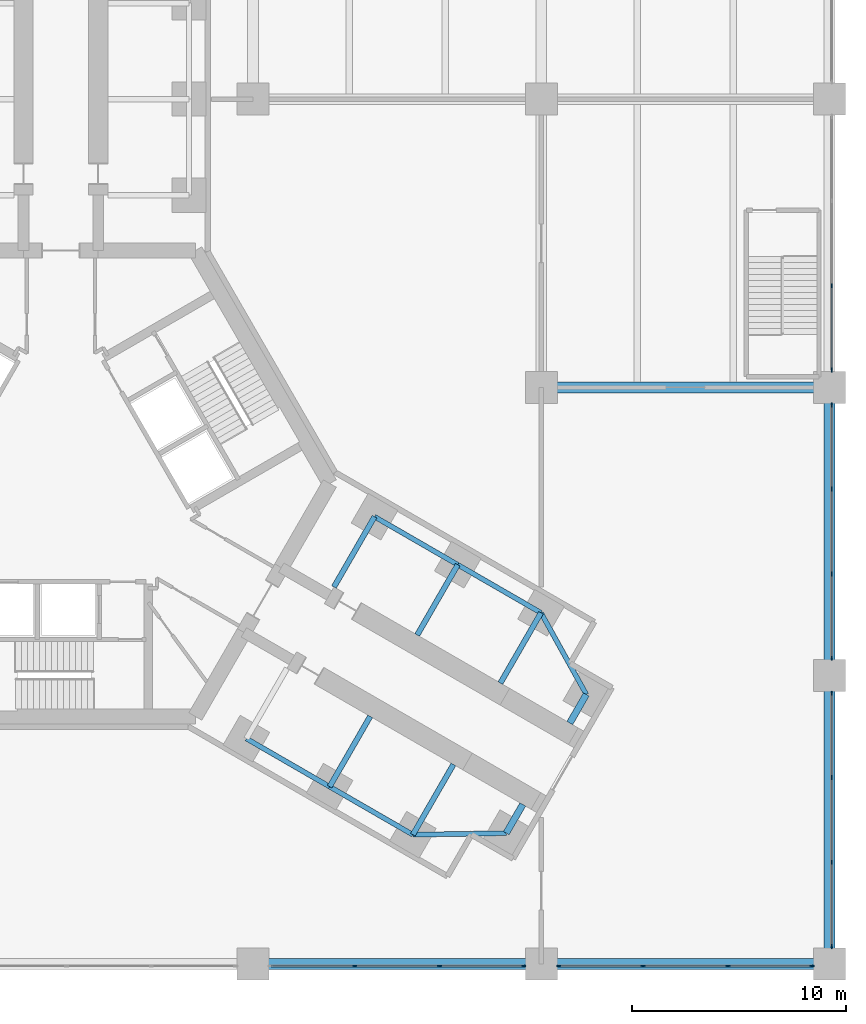
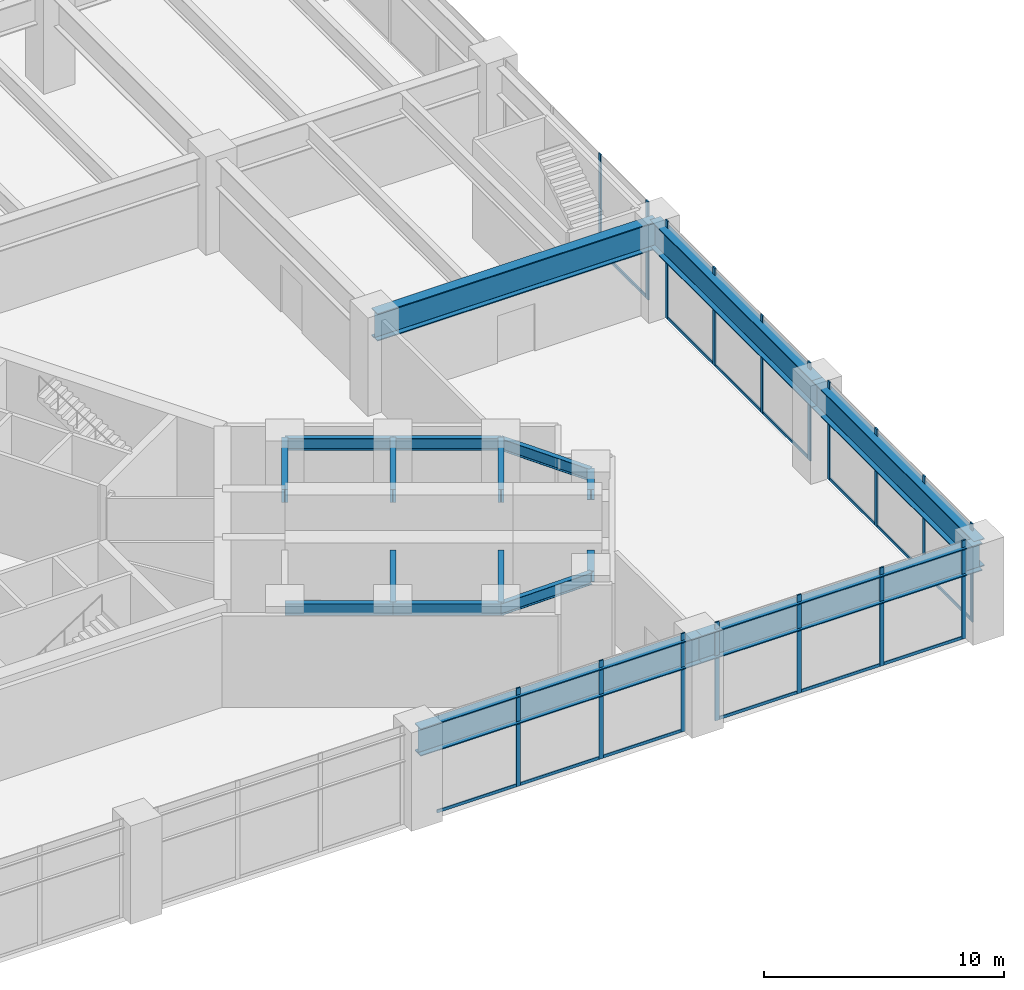
# One storey, part 10 of 32: 30 members, 18 beams, 5 elements without a shape of their own.
"""IFC4 building model written with IfcOpenShell, lengths in metres."""

import ifcopenshell
import ifcopenshell.guid

model = None  # the IFC model being written
_history = None  # IfcOwnerHistory: only IFC2X3 demands one
_inside = {}  # id of a spatial element -> (the spatial element, [elements in it])
_under = {}  # id of a project, library or spatial element -> (it, [spatial elements below it])
_declared = {}  # id of a project -> (the project, [libraries it declares])
_typed = {}  # id of a type object -> (the type object, [elements of that type])
_made_of = {}  # id of a material, layer set ... -> (it, [elements and type objects made of it])


def new_model(schema):
    """Start an empty IFC model of exactly this schema.

    Asked for "IFC4X3", IfcOpenShell would pick the latest addendum, in which some entities
    have other attributes; the version numbers below select the first issue.
    IFC2X3 requires an IfcOwnerHistory on every rooted entity: one is made here for all.
    """
    global model, _history
    if schema == "IFC4X3":
        model = ifcopenshell.file(schema_version=(4, 3, 0, 0))
    else:
        model = ifcopenshell.file(schema=schema)
    _inside.clear()
    _under.clear()
    _declared.clear()
    _typed.clear()
    _made_of.clear()
    _history = None
    if model.schema == "IFC2X3":
        org = make("IfcOrganization", Name="unknown")
        user = make(
            "IfcPersonAndOrganization",
            ThePerson=make("IfcPerson", FamilyName="unknown"),
            TheOrganization=org,
        )
        app = make(
            "IfcApplication",
            ApplicationDeveloper=org,
            Version="unknown",
            ApplicationFullName="unknown",
            ApplicationIdentifier="unknown",
        )
        _history = make(
            "IfcOwnerHistory",
            OwningUser=user,
            OwningApplication=app,
            ChangeAction="ADDED",
            CreationDate=0,
        )
    return model


def make(cls, **values):
    """One entity of the class cls with the attributes given. An attribute that is None is left unset."""
    return model.create_entity(
        cls, **{name: value for name, value in values.items() if value is not None}
    )


def rooted(cls, **values):
    """An entity with a GlobalId (a new one), such as an element, a storey or a relation."""
    return make(cls, GlobalId=ifcopenshell.guid.new(), OwnerHistory=_history, **values)


def si_unit(unit_type, name, prefix=None):
    """IfcSIUnit, for example si_unit("LENGTHUNIT", "METRE", prefix="MILLI")."""
    return make("IfcSIUnit", UnitType=unit_type, Prefix=prefix, Name=name)


def assignment(units):
    """IfcUnitAssignment: the units of a project."""
    return None if units is None else make("IfcUnitAssignment", Units=units)


def point(xyz):
    """IfcCartesianPoint."""
    return None if xyz is None else make("IfcCartesianPoint", Coordinates=xyz)


def direction(xyz):
    """IfcDirection."""
    return None if xyz is None else make("IfcDirection", DirectionRatios=xyz)


def frame(location, z_axis=None, x_axis=None):
    """IfcAxis2Placement3D, a coordinate frame: its origin and axes. An axis left out is left unset."""
    return make(
        "IfcAxis2Placement3D",
        Location=point(location),
        Axis=direction(z_axis),
        RefDirection=direction(x_axis),
    )


def frame_2d(location, x_axis=None):
    """IfcAxis2Placement2D, a coordinate frame in the plane: its origin and x axis."""
    return make(
        "IfcAxis2Placement2D", Location=point(location), RefDirection=direction(x_axis)
    )


def origin():
    """The frame at (0, 0, 0) with its axes left unset."""
    return frame((0.0, 0.0, 0.0))


def origin_2d():
    """The frame at (0, 0) in the plane with its x axis left unset."""
    return frame_2d((0.0, 0.0))


def place(relative_to, where):
    """IfcLocalPlacement: puts the frame where relative to a parent placement (None: the world)."""
    return make(
        "IfcLocalPlacement", PlacementRelTo=relative_to, RelativePlacement=where
    )


def context(
    kind, dimensions, precision=None, world=None, true_north=None, identifier=None
):
    """IfcGeometricRepresentationContext, for example the 3D "Model" context."""
    return make(
        "IfcGeometricRepresentationContext",
        ContextIdentifier=identifier,
        ContextType=kind,
        CoordinateSpaceDimension=dimensions,
        Precision=precision,
        WorldCoordinateSystem=world,
        TrueNorth=true_north,
    )


def subcontext(parent, identifier, kind, view, scale=None):
    """IfcGeometricRepresentationSubContext, for example "Body" below "Model"."""
    return make(
        "IfcGeometricRepresentationSubContext",
        ContextIdentifier=identifier,
        ContextType=kind,
        ParentContext=parent,
        TargetScale=scale,
        TargetView=view,
    )


def project(units=None, contexts=None):
    """IfcProject with its units and contexts."""
    return rooted(
        "IfcProject",
        Name="project",
        RepresentationContexts=contexts,
        UnitsInContext=assignment(units),
    )


def spatial(cls, under=None, at=None, **own):
    """A site, building, storey or space (cls), placed at a placement, below another one or the project."""
    s = rooted(cls, ObjectPlacement=at, **own)
    if under is not None:
        _under.setdefault(under.id(), (under, []))[1].append(s)
    return s


def profile(cls, at=None, kind="AREA", **sizes):
    """A parametric profile (cls). Its sizes go by their IFC names, for example OverallWidth=200.0."""
    return make(cls, ProfileType=kind, Position=at, **sizes)


def rectangle(**sizes):
    """IfcRectangleProfileDef."""
    return profile("IfcRectangleProfileDef", **sizes)


def i_section(**sizes):
    """IfcIShapeProfileDef."""
    return profile("IfcIShapeProfileDef", **sizes)


def extrude(swept, where, along, depth):
    """IfcExtrudedAreaSolid: the profile swept, set in the frame where, extruded along a direction by depth."""
    return make(
        "IfcExtrudedAreaSolid",
        SweptArea=swept,
        Position=where,
        ExtrudedDirection=direction(along),
        Depth=depth,
    )


def shape(context_of_items, identifier, shape_type, items):
    """IfcShapeRepresentation: the items that make up one representation, for example the "Body"."""
    return make(
        "IfcShapeRepresentation",
        ContextOfItems=context_of_items,
        RepresentationIdentifier=identifier,
        RepresentationType=shape_type,
        Items=items,
    )


def material(Name=None, Category=None):
    """IfcMaterial."""
    return make("IfcMaterial", Name=Name, Category=Category)


def material_profile(
    of_material, cross_section, Name=None, Category=None, Priority=None
):
    """IfcMaterialProfile: a cross section and its material."""
    return make(
        "IfcMaterialProfile",
        Name=Name,
        Material=of_material,
        Profile=cross_section,
        Priority=Priority,
        Category=Category,
    )


def profile_set(profiles, Name=None, composite=None):
    """IfcMaterialProfileSet."""
    return make(
        "IfcMaterialProfileSet",
        Name=Name,
        MaterialProfiles=profiles,
        CompositeProfile=composite,
    )


def made_of(thing, what):
    """Note that an element or type object is made of a material, layer set ...; save() writes the relation."""
    if what is not None:
        _made_of.setdefault(what.id(), (what, []))[1].append(thing)
    return thing


def type_object(cls, material=None, **own):
    """A type object (cls), such as IfcWallType, which elements share."""
    return made_of(rooted(cls, **own), material)


def element(
    cls,
    number,
    at=None,
    inside=None,
    cuts=None,
    type_object=None,
    material=None,
    context=None,
    identifier="Body",
    shape_type=None,
    held_by="IfcProductDefinitionShape",
    body=None,
    shapes=None,
    **own,
):
    """One element of the class cls, such as IfcWall. Its Tag is "e" and its number.

    at: its placement. inside: the storey or other place that contains it. cuts: it is an
    opening in that element (IfcRelVoidsElement). A single representation is given by context,
    identifier, shape_type and body (its items); several are given by shapes. held_by: the class
    of the entity that holds the representations. save() writes the other relations.
    """
    e = rooted(cls, Tag="e%d" % number, ObjectPlacement=at, **own)
    if body is not None:
        shapes = [shape(context, identifier, shape_type, body)]
    if shapes is not None:
        e.Representation = make(held_by, Representations=shapes)
    if inside is not None:
        _inside.setdefault(inside.id(), (inside, []))[1].append(e)
    if cuts is not None:
        rooted(
            "IfcRelVoidsElement", RelatingBuildingElement=cuts, RelatedOpeningElement=e
        )
    if type_object is not None:
        _typed.setdefault(type_object.id(), (type_object, []))[1].append(e)
    return made_of(e, material)


def aggregate(whole, parts):
    """IfcRelAggregates: a whole, such as a stair, and the parts it consists of."""
    return rooted("IfcRelAggregates", RelatingObject=whole, RelatedObjects=parts)


def save(model, path):
    """Write the relations noted so far, then the file.

    IfcRelAggregates (storeys below a building ...), IfcRelContainedInSpatialStructure (elements
    in a storey), IfcRelDefinesByType, IfcRelAssociatesMaterial and IfcRelDeclares: one each for
    every whole, place, type object, material and project.
    """
    for whole, parts in _under.values():
        aggregate(whole, parts)
    for where, things in _inside.values():
        rooted(
            "IfcRelContainedInSpatialStructure",
            RelatedElements=things,
            RelatingStructure=where,
        )
    for kind, things in _typed.values():
        rooted("IfcRelDefinesByType", RelatedObjects=things, RelatingType=kind)
    for what, things in _made_of.values():
        rooted("IfcRelAssociatesMaterial", RelatedObjects=things, RelatingMaterial=what)
    for by, libraries in _declared.values():
        rooted("IfcRelDeclares", RelatingContext=by, RelatedDefinitions=libraries)
    model.write(path)


model = new_model("IFC4")

# Units and contexts
model_context = context("Model", 3, precision=1e-05, world=origin(), true_north=direction((0.0, 1.0)))
body_context = subcontext(model_context, "Body", "Model", "MODEL_VIEW")
ifc_project = project(units=[si_unit("LENGTHUNIT", "METRE"), si_unit("AREAUNIT", "SQUARE_METRE"), si_unit("VOLUMEUNIT", "CUBIC_METRE"), si_unit("PLANEANGLEUNIT", "RADIAN"), si_unit("MASSUNIT", "GRAM", prefix="KILO")], contexts=[model_context])

# Site, building, storey
site_placement = place(None, origin())
site = spatial("IfcSite", under=ifc_project, at=site_placement, CompositionType="ELEMENT")
building_placement = place(site_placement, origin())
building = spatial("IfcBuilding", under=site, at=building_placement, Name="Upepo Twin Towers", CompositionType="ELEMENT")
storey_placement = place(building_placement, frame((0.0, 0.0, 5.5)))
storey = spatial("IfcBuildingStorey", under=building, at=storey_placement, Name="L01", CompositionType="ELEMENT", Elevation=5.5)

# Beams
ifc_material_1 = material(Name="Steel S355", Category="steel")
ifc_material_profile_1 = material_profile(ifc_material_1, i_section(OverallWidth=0.5, OverallDepth=1.39990234375, WebThickness=0.02490234375, FlangeThickness=0.050048828125, FilletRadius=0.008056640625, at=origin_2d()), Name="PG 1400x500x25x50")
ifc_profile_set_1 = profile_set([ifc_material_profile_1], Name="Steel S355")
beam_type_1 = type_object("IfcBeamType", Name="Beam PG 1400x500x25x50", PredefinedType="BEAM", material=ifc_profile_set_1)
for number, where, z_axis, x_axis, name in (
    (1, (67.5, -40.5, 3.949951171875), (1.0, 0.0, 0.0), (0.0, 1.0, 0.0), "Podium girder A/8-9"),
    (2, (81.0, -40.5, 3.949951171875), (1.0, 0.0, 0.0), (0.0, 1.0, 0.0), "Podium girder A/9-10"),
    (3, (81.0, -13.5, 3.949951171875), (1.0, 0.0, 0.0), (0.0, 1.0, 0.0), "Podium girder C/9-10"),
    (4, (94.5, -40.5, 3.949951171875), (0.0, 1.0, 0.0), (-1.0, 0.0, 0.0), "Podium girder 10/A-B"),
    (5, (94.5, -27.0, 3.949951171875), (0.0, 1.0, 0.0), (-1.0, 0.0, 0.0), "Podium girder 10/B-C"),
):
    element("IfcBeam", number, at=place(storey_placement, frame(where, z_axis=z_axis, x_axis=x_axis)), inside=storey, type_object=beam_type_1, Name=name, PredefinedType="BEAM", context=body_context, shape_type="SweptSolid", body=[
        extrude(i_section(OverallWidth=0.5, OverallDepth=1.39990234375, WebThickness=0.02490234375, FlangeThickness=0.050048828125, FilletRadius=0.008056640625, at=origin_2d()), origin(), (0.0, 0.0, 1.0), 13.5),
    ])
ifc_material_2 = material(Name="Steel S355", Category="steel")
ifc_material_profile_2 = material_profile(ifc_material_2, i_section(OverallWidth=0.31201171875, OverallDepth=0.54345703125, WebThickness=0.0126953125, FlangeThickness=0.020263671875, FilletRadius=0.0126953125, at=origin_2d()), Name="UB 533x312x150")
ifc_profile_set_2 = profile_set([ifc_material_profile_2], Name="Steel S355")
beam_type_2 = type_object("IfcBeamType", Name="Beam UB 533x312x150", PredefinedType="BEAM", material=ifc_profile_set_2)
for number, where, z_axis, x_axis, name in (
    (6, (83.108154296875, -27.87744140625, 4.378173828125), (-0.499967891604, -0.866043940782, 0.0), (0.866043940782, -0.499967891604, 0.0), "T2 nose beam CL"),
    (7, (79.358154296875, -34.37255859375, 4.378173828125), (0.499967891604, 0.866043940782, 0.0), (-0.866043940782, 0.499967891604, 0.0), "T2 nose beam CR"),
):
    element("IfcBeam", number, at=place(storey_placement, frame(where, z_axis=z_axis, x_axis=x_axis)), inside=storey, type_object=beam_type_2, Name=name, PredefinedType="BEAM", context=body_context, shape_type="SweptSolid", body=[
        extrude(i_section(OverallWidth=0.31201171875, OverallDepth=0.54345703125, WebThickness=0.0126953125, FlangeThickness=0.020263671875, FilletRadius=0.0126953125, at=origin_2d()), origin(), (0.0, 0.0, 1.0), 1.5498046875),
    ])
ifc_material_3 = material(Name="Steel S355", Category="steel")
ifc_material_profile_3 = material_profile(ifc_material_3, i_section(OverallWidth=0.228271484375, OverallDepth=0.607666015625, WebThickness=0.010986328125, FlangeThickness=0.017333984375, FilletRadius=0.0126953125, at=origin_2d()), Name="UB 610x229x113")
ifc_profile_set_3 = profile_set([ifc_material_profile_3], Name="Steel S355")
beam_type_3 = type_object("IfcBeamType", Name="Beam UB 610x229x113", PredefinedType="BEAM", material=ifc_profile_set_3)
beam_1_placement = place(storey_placement, frame((73.19140625, -19.553955078125, 4.34619140625), z_axis=(0.866017533419, -0.500013631625, 0.0), x_axis=(0.500013631625, 0.866017533419, 0.0)))
element("IfcBeam", 8, at=beam_1_placement, inside=storey, type_object=beam_type_3, Name="T2 edge beam CL 13.5-18.0", PredefinedType="BEAM", context=body_context, shape_type="SweptSolid", body=[
    extrude(i_section(OverallWidth=0.228271484375, OverallDepth=0.607666015625, WebThickness=0.010986328125, FlangeThickness=0.017333984375, FilletRadius=0.0126953125, at=origin_2d()), origin(), (0.0, 0.0, 1.0), 4.499755859375),
])
beam_2_placement = place(storey_placement, frame((77.08837890625, -21.803955078125, 4.34619140625), z_axis=(0.866031096941, -0.499990139034, 0.0), x_axis=(0.499990139034, 0.866031096941, 0.0)))
element("IfcBeam", 9, at=beam_2_placement, inside=storey, type_object=beam_type_3, Name="T2 edge beam CL 18.0-22.5", PredefinedType="BEAM", context=body_context, shape_type="SweptSolid", body=[
    extrude(i_section(OverallWidth=0.228271484375, OverallDepth=0.607666015625, WebThickness=0.010986328125, FlangeThickness=0.017333984375, FilletRadius=0.0126953125, at=origin_2d()), origin(), (0.0, 0.0, 1.0), 4.5),
])
beam_3_placement = place(storey_placement, frame((80.985595703125, -24.053955078125, 4.34619140625), z_axis=(0.485363242752, -0.874312600038, 0.0), x_axis=(0.874312600038, 0.485363242752, 0.0)))
element("IfcBeam", 10, at=beam_3_placement, inside=storey, type_object=beam_type_3, Name="T2 nose edge beam CL", PredefinedType="BEAM", context=body_context, shape_type="SweptSolid", body=[
    extrude(i_section(OverallWidth=0.228271484375, OverallDepth=0.607666015625, WebThickness=0.010986328125, FlangeThickness=0.017333984375, FilletRadius=0.0126953125, at=origin_2d()), origin(), (0.0, 0.0, 1.0), 4.373046875),
])
beam_4_placement = place(storey_placement, frame((67.19140625, -29.946044921875, 4.34619140625), z_axis=(0.866017533419, -0.500013631625, 0.0), x_axis=(0.500013631625, 0.866017533419, 0.0)))
element("IfcBeam", 11, at=beam_4_placement, inside=storey, type_object=beam_type_3, Name="T2 edge beam CR 13.5-18.0", PredefinedType="BEAM", context=body_context, shape_type="SweptSolid", body=[
    extrude(i_section(OverallWidth=0.228271484375, OverallDepth=0.607666015625, WebThickness=0.010986328125, FlangeThickness=0.017333984375, FilletRadius=0.0126953125, at=origin_2d()), origin(), (0.0, 0.0, 1.0), 4.499755859375),
])
beam_5_placement = place(storey_placement, frame((71.08837890625, -32.196044921875, 4.34619140625), z_axis=(0.866031096941, -0.499990139034, 0.0), x_axis=(0.499990139034, 0.866031096941, 0.0)))
element("IfcBeam", 12, at=beam_5_placement, inside=storey, type_object=beam_type_3, Name="T2 edge beam CR 18.0-22.5", PredefinedType="BEAM", context=body_context, shape_type="SweptSolid", body=[
    extrude(i_section(OverallWidth=0.228271484375, OverallDepth=0.607666015625, WebThickness=0.010986328125, FlangeThickness=0.017333984375, FilletRadius=0.0126953125, at=origin_2d()), origin(), (0.0, 0.0, 1.0), 4.5),
])
beam_6_placement = place(storey_placement, frame((74.985595703125, -34.446044921875, 4.34619140625), z_axis=(0.999858804832, 0.016803880528, 0.0), x_axis=(-0.016803880528, 0.999858804832, 0.0)))
element("IfcBeam", 13, at=beam_6_placement, inside=storey, type_object=beam_type_3, Name="T2 nose edge beam CR", PredefinedType="BEAM", context=body_context, shape_type="SweptSolid", body=[
    extrude(i_section(OverallWidth=0.228271484375, OverallDepth=0.607666015625, WebThickness=0.010986328125, FlangeThickness=0.017333984375, FilletRadius=0.0126953125, at=origin_2d()), origin(), (0.0, 0.0, 1.0), 4.373291015625),
])
ifc_material_4 = material(Name="Steel S355", Category="steel")
ifc_material_profile_4 = material_profile(ifc_material_4, i_section(OverallWidth=0.253662109375, OverallDepth=0.68359375, WebThickness=0.012451171875, FlangeThickness=0.01904296875, FilletRadius=0.01513671875, at=origin_2d()), Name="UB 686x254x140")
ifc_profile_set_4 = profile_set([ifc_material_profile_4], Name="Steel S355")
beam_type_4 = type_object("IfcBeamType", Name="Beam UB 686x254x140", PredefinedType="BEAM", material=ifc_profile_set_4)
beam_7_placement = place(storey_placement, frame((73.19140625, -19.553955078125, 4.308349609375), z_axis=(-0.500043160704, -0.866000483506, 0.0), x_axis=(0.866000483506, -0.500043160704, 0.0)))
element("IfcBeam", 14, at=beam_7_placement, inside=storey, type_object=beam_type_4, Name="T2 girder CL at 13.5", PredefinedType="BEAM", context=body_context, shape_type="SweptSolid", body=[
    extrude(i_section(OverallWidth=0.253662109375, OverallDepth=0.68359375, WebThickness=0.012451171875, FlangeThickness=0.01904296875, FilletRadius=0.01513671875, at=origin_2d()), origin(), (0.0, 0.0, 1.0), 3.800048828125),
])
for number, where, z_axis, x_axis, name in (
    (15, (77.08837890625, -21.803955078125, 4.308349609375), (-0.499994975061, -0.866028304915, 0.0), (0.866028304915, -0.499994975061, 0.0), "T2 girder CL at 18.0"),
    (16, (80.985595703125, -24.053955078125, 4.308349609375), (-0.499994975061, -0.866028304915, 0.0), (0.866028304915, -0.499994975061, 0.0), "T2 girder CL at 22.5"),
):
    element("IfcBeam", number, at=place(storey_placement, frame(where, z_axis=z_axis, x_axis=x_axis)), inside=storey, type_object=beam_type_4, Name=name, PredefinedType="BEAM", context=body_context, shape_type="SweptSolid", body=[
        extrude(i_section(OverallWidth=0.253662109375, OverallDepth=0.68359375, WebThickness=0.012451171875, FlangeThickness=0.01904296875, FilletRadius=0.01513671875, at=origin_2d()), origin(), (0.0, 0.0, 1.0), 3.7998046875),
    ])
beam_8_placement = place(storey_placement, frame((71.08837890625, -32.196044921875, 4.308349609375), z_axis=(0.500043160704, 0.866000483506, 0.0), x_axis=(-0.866000483506, 0.500043160704, 0.0)))
element("IfcBeam", 17, at=beam_8_placement, inside=storey, type_object=beam_type_4, Name="T2 girder CR at 18.0", PredefinedType="BEAM", context=body_context, shape_type="SweptSolid", body=[
    extrude(i_section(OverallWidth=0.253662109375, OverallDepth=0.68359375, WebThickness=0.012451171875, FlangeThickness=0.01904296875, FilletRadius=0.01513671875, at=origin_2d()), origin(), (0.0, 0.0, 1.0), 3.800048828125),
])
beam_9_placement = place(storey_placement, frame((74.985595703125, -34.446044921875, 4.308349609375), z_axis=(0.499994975061, 0.866028304915, 0.0), x_axis=(-0.866028304915, 0.499994975061, 0.0)))
element("IfcBeam", 18, at=beam_9_placement, inside=storey, type_object=beam_type_4, Name="T2 girder CR at 22.5", PredefinedType="BEAM", context=body_context, shape_type="SweptSolid", body=[
    extrude(i_section(OverallWidth=0.253662109375, OverallDepth=0.68359375, WebThickness=0.012451171875, FlangeThickness=0.01904296875, FilletRadius=0.01513671875, at=origin_2d()), origin(), (0.0, 0.0, 1.0), 3.7998046875),
])

# Curtain wall, members
ifc_material_5 = material(Name="Aluminium and clear glass", Category="aluminium")
curtain_wall_type = type_object("IfcCurtainWallType", Name="Podium curtain wall PW1", PredefinedType="NOTDEFINED", material=ifc_material_5)
curtain_wall_1_placement = place(storey_placement, origin())
curtain_wall_1 = element("IfcCurtainWall", 19, at=curtain_wall_1_placement, inside=storey, type_object=curtain_wall_type, Name="Podium L01 curtain wall S8", PredefinedType="NOTDEFINED")
ifc_material_6 = material(Name="Aluminium mullion", Category="aluminium")
ifc_material_profile_5 = material_profile(ifc_material_6, rectangle(XDim=0.06494140625, YDim=0.199951171875, at=origin_2d()), Name="MULLION 65x200 PODIUM")
ifc_profile_set_5 = profile_set([ifc_material_profile_5], Name="Aluminium mullion")
member_type_1 = type_object("IfcMemberType", Name="Mullion 65x200 PW1", PredefinedType="MULLION", material=ifc_profile_set_5)
member_1_placement = place(storey_placement, frame((72.26171875, -40.60009765625, 0.0), z_axis=(0.0, 0.0, 1.0), x_axis=(0.0, 1.0, 0.0)))
member_1 = element("IfcMember", 20, at=member_1_placement, type_object=member_type_1, Name="Podium L01 curtain wall S8 mullion 2", PredefinedType="MULLION", context=body_context, shape_type="SweptSolid", body=[
    extrude(rectangle(XDim=0.06494140625, YDim=0.199951171875, at=origin_2d()), origin(), (0.0, 0.0, 1.0), 5.0),
])
member_2_placement = place(storey_placement, frame((76.23828125, -40.60009765625, 0.0), z_axis=(0.0, 0.0, 1.0), x_axis=(0.0, 1.0, 0.0)))
member_2 = element("IfcMember", 21, at=member_2_placement, type_object=member_type_1, Name="Podium L01 curtain wall S8 mullion 3", PredefinedType="MULLION", context=body_context, shape_type="SweptSolid", body=[
    extrude(rectangle(XDim=0.06494140625, YDim=0.199951171875, at=origin_2d()), origin(), (0.0, 0.0, 1.0), 5.0),
])
member_3_placement = place(storey_placement, frame((80.1826171875, -40.60009765625, 0.0), z_axis=(0.0, 0.0, 1.0), x_axis=(0.0, 1.0, 0.0)))
member_3 = element("IfcMember", 22, at=member_3_placement, type_object=member_type_1, Name="Podium L01 curtain wall S8 mullion 4", PredefinedType="MULLION", context=body_context, shape_type="SweptSolid", body=[
    extrude(rectangle(XDim=0.06494140625, YDim=0.199951171875, at=origin_2d()), origin(), (0.0, 0.0, 1.0), 5.0),
])

curtain_wall_2_placement = place(storey_placement, origin())
curtain_wall_2 = element("IfcCurtainWall", 23, at=curtain_wall_2_placement, inside=storey, type_object=curtain_wall_type, Name="Podium L01 curtain wall S9", PredefinedType="NOTDEFINED")
member_4_placement = place(storey_placement, frame((81.8173828125, -40.60009765625, 0.0), z_axis=(0.0, 0.0, 1.0), x_axis=(0.0, 1.0, 0.0)))
member_4 = element("IfcMember", 24, at=member_4_placement, type_object=member_type_1, Name="Podium L01 curtain wall S9 mullion 1", PredefinedType="MULLION", context=body_context, shape_type="SweptSolid", body=[
    extrude(rectangle(XDim=0.06494140625, YDim=0.199951171875, at=origin_2d()), origin(), (0.0, 0.0, 1.0), 5.0),
])
member_5_placement = place(storey_placement, frame((85.76171875, -40.60009765625, 0.0), z_axis=(0.0, 0.0, 1.0), x_axis=(0.0, 1.0, 0.0)))
member_5 = element("IfcMember", 25, at=member_5_placement, type_object=member_type_1, Name="Podium L01 curtain wall S9 mullion 2", PredefinedType="MULLION", context=body_context, shape_type="SweptSolid", body=[
    extrude(rectangle(XDim=0.06494140625, YDim=0.199951171875, at=origin_2d()), origin(), (0.0, 0.0, 1.0), 5.0),
])
member_6_placement = place(storey_placement, frame((89.73828125, -40.60009765625, 0.0), z_axis=(0.0, 0.0, 1.0), x_axis=(0.0, 1.0, 0.0)))
member_6 = element("IfcMember", 26, at=member_6_placement, type_object=member_type_1, Name="Podium L01 curtain wall S9 mullion 3", PredefinedType="MULLION", context=body_context, shape_type="SweptSolid", body=[
    extrude(rectangle(XDim=0.06494140625, YDim=0.199951171875, at=origin_2d()), origin(), (0.0, 0.0, 1.0), 5.0),
])
member_7_placement = place(storey_placement, frame((93.6826171875, -40.60009765625, 0.0), z_axis=(0.0, 0.0, 1.0), x_axis=(0.0, 1.0, 0.0)))
member_7 = element("IfcMember", 27, at=member_7_placement, type_object=member_type_1, Name="Podium L01 curtain wall S9 mullion 4", PredefinedType="MULLION", context=body_context, shape_type="SweptSolid", body=[
    extrude(rectangle(XDim=0.06494140625, YDim=0.199951171875, at=origin_2d()), origin(), (0.0, 0.0, 1.0), 5.0),
])

curtain_wall_3_placement = place(storey_placement, origin())
curtain_wall_3 = element("IfcCurtainWall", 28, at=curtain_wall_3_placement, inside=storey, type_object=curtain_wall_type, Name="Podium L01 curtain wall E1", PredefinedType="NOTDEFINED")
member_8_placement = place(storey_placement, frame((94.60009765625, -39.6826171875, 0.0), z_axis=(0.0, 0.0, 1.0), x_axis=(-1.0, 0.0, 0.0)))
member_8 = element("IfcMember", 29, at=member_8_placement, type_object=member_type_1, Name="Podium L01 curtain wall E1 mullion 1", PredefinedType="MULLION", context=body_context, shape_type="SweptSolid", body=[
    extrude(rectangle(XDim=0.06494140625, YDim=0.199951171875, at=origin_2d()), origin(), (0.0, 0.0, 1.0), 5.0),
])
member_9_placement = place(storey_placement, frame((94.60009765625, -35.73828125, 0.0), z_axis=(0.0, 0.0, 1.0), x_axis=(-1.0, 0.0, 0.0)))
member_9 = element("IfcMember", 30, at=member_9_placement, type_object=member_type_1, Name="Podium L01 curtain wall E1 mullion 2", PredefinedType="MULLION", context=body_context, shape_type="SweptSolid", body=[
    extrude(rectangle(XDim=0.06494140625, YDim=0.199951171875, at=origin_2d()), origin(), (0.0, 0.0, 1.0), 5.0),
])
member_10_placement = place(storey_placement, frame((94.60009765625, -31.76171875, 0.0), z_axis=(0.0, 0.0, 1.0), x_axis=(-1.0, 0.0, 0.0)))
member_10 = element("IfcMember", 31, at=member_10_placement, type_object=member_type_1, Name="Podium L01 curtain wall E1 mullion 3", PredefinedType="MULLION", context=body_context, shape_type="SweptSolid", body=[
    extrude(rectangle(XDim=0.06494140625, YDim=0.199951171875, at=origin_2d()), origin(), (0.0, 0.0, 1.0), 5.0),
])
member_11_placement = place(storey_placement, frame((94.60009765625, -27.8173828125, 0.0), z_axis=(0.0, 0.0, 1.0), x_axis=(-1.0, 0.0, 0.0)))
member_11 = element("IfcMember", 32, at=member_11_placement, type_object=member_type_1, Name="Podium L01 curtain wall E1 mullion 4", PredefinedType="MULLION", context=body_context, shape_type="SweptSolid", body=[
    extrude(rectangle(XDim=0.06494140625, YDim=0.199951171875, at=origin_2d()), origin(), (0.0, 0.0, 1.0), 5.0),
])

curtain_wall_4_placement = place(storey_placement, origin())
curtain_wall_4 = element("IfcCurtainWall", 33, at=curtain_wall_4_placement, inside=storey, type_object=curtain_wall_type, Name="Podium L01 curtain wall E2", PredefinedType="NOTDEFINED")
member_12_placement = place(storey_placement, frame((94.60009765625, -26.1826171875, 0.0), z_axis=(0.0, 0.0, 1.0), x_axis=(-1.0, 0.0, 0.0)))
member_12 = element("IfcMember", 34, at=member_12_placement, type_object=member_type_1, Name="Podium L01 curtain wall E2 mullion 1", PredefinedType="MULLION", context=body_context, shape_type="SweptSolid", body=[
    extrude(rectangle(XDim=0.06494140625, YDim=0.199951171875, at=origin_2d()), origin(), (0.0, 0.0, 1.0), 5.0),
])
member_13_placement = place(storey_placement, frame((94.60009765625, -22.23828125, 0.0), z_axis=(0.0, 0.0, 1.0), x_axis=(-1.0, 0.0, 0.0)))
member_13 = element("IfcMember", 35, at=member_13_placement, type_object=member_type_1, Name="Podium L01 curtain wall E2 mullion 2", PredefinedType="MULLION", context=body_context, shape_type="SweptSolid", body=[
    extrude(rectangle(XDim=0.06494140625, YDim=0.199951171875, at=origin_2d()), origin(), (0.0, 0.0, 1.0), 5.0),
])
member_14_placement = place(storey_placement, frame((94.60009765625, -18.26171875, 0.0), z_axis=(0.0, 0.0, 1.0), x_axis=(-1.0, 0.0, 0.0)))
member_14 = element("IfcMember", 36, at=member_14_placement, type_object=member_type_1, Name="Podium L01 curtain wall E2 mullion 3", PredefinedType="MULLION", context=body_context, shape_type="SweptSolid", body=[
    extrude(rectangle(XDim=0.06494140625, YDim=0.199951171875, at=origin_2d()), origin(), (0.0, 0.0, 1.0), 5.0),
])
member_15_placement = place(storey_placement, frame((94.60009765625, -14.3173828125, 0.0), z_axis=(0.0, 0.0, 1.0), x_axis=(-1.0, 0.0, 0.0)))
member_15 = element("IfcMember", 37, at=member_15_placement, type_object=member_type_1, Name="Podium L01 curtain wall E2 mullion 4", PredefinedType="MULLION", context=body_context, shape_type="SweptSolid", body=[
    extrude(rectangle(XDim=0.06494140625, YDim=0.199951171875, at=origin_2d()), origin(), (0.0, 0.0, 1.0), 5.0),
])

curtain_wall_5_placement = place(storey_placement, origin())
curtain_wall_5 = element("IfcCurtainWall", 38, at=curtain_wall_5_placement, inside=storey, type_object=curtain_wall_type, Name="Podium L01 curtain wall E3", PredefinedType="NOTDEFINED")
member_16_placement = place(storey_placement, frame((94.60009765625, -12.6826171875, 0.0), z_axis=(0.0, 0.0, 1.0), x_axis=(-1.0, 0.0, 0.0)))
member_16 = element("IfcMember", 39, at=member_16_placement, type_object=member_type_1, Name="Podium L01 curtain wall E3 mullion 1", PredefinedType="MULLION", context=body_context, shape_type="SweptSolid", body=[
    extrude(rectangle(XDim=0.06494140625, YDim=0.199951171875, at=origin_2d()), origin(), (0.0, 0.0, 1.0), 5.0),
])
member_17_placement = place(storey_placement, frame((94.60009765625, -8.73828125, 0.0), z_axis=(0.0, 0.0, 1.0), x_axis=(-1.0, 0.0, 0.0)))
member_17 = element("IfcMember", 40, at=member_17_placement, type_object=member_type_1, Name="Podium L01 curtain wall E3 mullion 2", PredefinedType="MULLION", context=body_context, shape_type="SweptSolid", body=[
    extrude(rectangle(XDim=0.06494140625, YDim=0.199951171875, at=origin_2d()), origin(), (0.0, 0.0, 1.0), 5.0),
])

# Member
ifc_material_7 = material(Name="Aluminium transom", Category="aluminium")
ifc_material_profile_6 = material_profile(ifc_material_7, rectangle(XDim=0.06494140625, YDim=0.14990234375, at=origin_2d()), Name="TRANSOM 65x150 PODIUM")
ifc_profile_set_6 = profile_set([ifc_material_profile_6], Name="Aluminium transom")
member_type_2 = type_object("IfcMemberType", Name="Transom 65x150 PW1", PredefinedType="USERDEFINED", material=ifc_profile_set_6)
member_18_placement = place(storey_placement, frame((68.35009765625, -40.60009765625, 0.074951171875), z_axis=(1.0, 0.0, 0.0), x_axis=(0.0, 1.0, 0.0)))
member_18 = element("IfcMember", 41, at=member_18_placement, type_object=member_type_2, Name="Podium L01 curtain wall S8 transom 1", ObjectType="TRANSOM", PredefinedType="USERDEFINED", context=body_context, shape_type="SweptSolid", body=[
    extrude(rectangle(XDim=0.06494140625, YDim=0.14990234375, at=origin_2d()), origin(), (0.0, 0.0, 1.0), 3.879150390625),
])

member_19_placement = place(storey_placement, frame((72.294189453125, -40.60009765625, 0.074951171875), z_axis=(1.0, 0.0, 0.0), x_axis=(0.0, 1.0, 0.0)))
member_19 = element("IfcMember", 42, at=member_19_placement, type_object=member_type_2, Name="Podium L01 curtain wall S8 transom 2", ObjectType="TRANSOM", PredefinedType="USERDEFINED", context=body_context, shape_type="SweptSolid", body=[
    extrude(rectangle(XDim=0.06494140625, YDim=0.14990234375, at=origin_2d()), origin(), (0.0, 0.0, 1.0), 3.91162109375),
])

member_20_placement = place(storey_placement, frame((76.270751953125, -40.60009765625, 0.074951171875), z_axis=(1.0, 0.0, 0.0), x_axis=(0.0, 1.0, 0.0)))
member_20 = element("IfcMember", 43, at=member_20_placement, type_object=member_type_2, Name="Podium L01 curtain wall S8 transom 3", ObjectType="TRANSOM", PredefinedType="USERDEFINED", context=body_context, shape_type="SweptSolid", body=[
    extrude(rectangle(XDim=0.06494140625, YDim=0.14990234375, at=origin_2d()), origin(), (0.0, 0.0, 1.0), 3.879150390625),
])

aggregate(curtain_wall_1, [member_1, member_2, member_3, member_18, member_19, member_20])

member_21_placement = place(storey_placement, frame((81.85009765625, -40.60009765625, 0.074951171875), z_axis=(1.0, 0.0, 0.0), x_axis=(0.0, 1.0, 0.0)))
member_21 = element("IfcMember", 44, at=member_21_placement, type_object=member_type_2, Name="Podium L01 curtain wall S9 transom 1", ObjectType="TRANSOM", PredefinedType="USERDEFINED", context=body_context, shape_type="SweptSolid", body=[
    extrude(rectangle(XDim=0.06494140625, YDim=0.14990234375, at=origin_2d()), origin(), (0.0, 0.0, 1.0), 3.879150390625),
])

member_22_placement = place(storey_placement, frame((85.794189453125, -40.60009765625, 0.074951171875), z_axis=(1.0, 0.0, 0.0), x_axis=(0.0, 1.0, 0.0)))
member_22 = element("IfcMember", 45, at=member_22_placement, type_object=member_type_2, Name="Podium L01 curtain wall S9 transom 2", ObjectType="TRANSOM", PredefinedType="USERDEFINED", context=body_context, shape_type="SweptSolid", body=[
    extrude(rectangle(XDim=0.06494140625, YDim=0.14990234375, at=origin_2d()), origin(), (0.0, 0.0, 1.0), 3.91162109375),
])

member_23_placement = place(storey_placement, frame((89.770751953125, -40.60009765625, 0.074951171875), z_axis=(1.0, 0.0, 0.0), x_axis=(0.0, 1.0, 0.0)))
member_23 = element("IfcMember", 46, at=member_23_placement, type_object=member_type_2, Name="Podium L01 curtain wall S9 transom 3", ObjectType="TRANSOM", PredefinedType="USERDEFINED", context=body_context, shape_type="SweptSolid", body=[
    extrude(rectangle(XDim=0.06494140625, YDim=0.14990234375, at=origin_2d()), origin(), (0.0, 0.0, 1.0), 3.879150390625),
])

aggregate(curtain_wall_2, [member_4, member_5, member_6, member_7, member_21, member_22, member_23])

member_24_placement = place(storey_placement, frame((94.60009765625, -39.64990234375, 0.074951171875), z_axis=(0.0, 1.0, 0.0), x_axis=(-1.0, 0.0, 0.0)))
member_24 = element("IfcMember", 47, at=member_24_placement, type_object=member_type_2, Name="Podium L01 curtain wall E1 transom 1", ObjectType="TRANSOM", PredefinedType="USERDEFINED", context=body_context, shape_type="SweptSolid", body=[
    extrude(rectangle(XDim=0.06494140625, YDim=0.14990234375, at=origin_2d()), origin(), (0.0, 0.0, 1.0), 3.879150390625),
])

member_25_placement = place(storey_placement, frame((94.60009765625, -35.705810546875, 0.074951171875), z_axis=(0.0, 1.0, 0.0), x_axis=(-1.0, 0.0, 0.0)))
member_25 = element("IfcMember", 48, at=member_25_placement, type_object=member_type_2, Name="Podium L01 curtain wall E1 transom 2", ObjectType="TRANSOM", PredefinedType="USERDEFINED", context=body_context, shape_type="SweptSolid", body=[
    extrude(rectangle(XDim=0.06494140625, YDim=0.14990234375, at=origin_2d()), origin(), (0.0, 0.0, 1.0), 3.91162109375),
])

member_26_placement = place(storey_placement, frame((94.60009765625, -31.729248046875, 0.074951171875), z_axis=(0.0, 1.0, 0.0), x_axis=(-1.0, 0.0, 0.0)))
member_26 = element("IfcMember", 49, at=member_26_placement, type_object=member_type_2, Name="Podium L01 curtain wall E1 transom 3", ObjectType="TRANSOM", PredefinedType="USERDEFINED", context=body_context, shape_type="SweptSolid", body=[
    extrude(rectangle(XDim=0.06494140625, YDim=0.14990234375, at=origin_2d()), origin(), (0.0, 0.0, 1.0), 3.879150390625),
])

aggregate(curtain_wall_3, [member_8, member_9, member_10, member_11, member_24, member_25, member_26])

member_27_placement = place(storey_placement, frame((94.60009765625, -26.14990234375, 0.074951171875), z_axis=(0.0, 1.0, 0.0), x_axis=(-1.0, 0.0, 0.0)))
member_27 = element("IfcMember", 50, at=member_27_placement, type_object=member_type_2, Name="Podium L01 curtain wall E2 transom 1", ObjectType="TRANSOM", PredefinedType="USERDEFINED", context=body_context, shape_type="SweptSolid", body=[
    extrude(rectangle(XDim=0.06494140625, YDim=0.14990234375, at=origin_2d()), origin(), (0.0, 0.0, 1.0), 3.879150390625),
])

member_28_placement = place(storey_placement, frame((94.60009765625, -22.205810546875, 0.074951171875), z_axis=(0.0, 1.0, 0.0), x_axis=(-1.0, 0.0, 0.0)))
member_28 = element("IfcMember", 51, at=member_28_placement, type_object=member_type_2, Name="Podium L01 curtain wall E2 transom 2", ObjectType="TRANSOM", PredefinedType="USERDEFINED", context=body_context, shape_type="SweptSolid", body=[
    extrude(rectangle(XDim=0.06494140625, YDim=0.14990234375, at=origin_2d()), origin(), (0.0, 0.0, 1.0), 3.91162109375),
])

member_29_placement = place(storey_placement, frame((94.60009765625, -18.229248046875, 0.074951171875), z_axis=(0.0, 1.0, 0.0), x_axis=(-1.0, 0.0, 0.0)))
member_29 = element("IfcMember", 52, at=member_29_placement, type_object=member_type_2, Name="Podium L01 curtain wall E2 transom 3", ObjectType="TRANSOM", PredefinedType="USERDEFINED", context=body_context, shape_type="SweptSolid", body=[
    extrude(rectangle(XDim=0.06494140625, YDim=0.14990234375, at=origin_2d()), origin(), (0.0, 0.0, 1.0), 3.879150390625),
])

aggregate(curtain_wall_4, [member_12, member_13, member_14, member_15, member_27, member_28, member_29])

member_30_placement = place(storey_placement, frame((94.60009765625, -12.64990234375, 0.074951171875), z_axis=(0.0, 1.0, 0.0), x_axis=(-1.0, 0.0, 0.0)))
member_30 = element("IfcMember", 53, at=member_30_placement, type_object=member_type_2, Name="Podium L01 curtain wall E3 transom 1", ObjectType="TRANSOM", PredefinedType="USERDEFINED", context=body_context, shape_type="SweptSolid", body=[
    extrude(rectangle(XDim=0.06494140625, YDim=0.14990234375, at=origin_2d()), origin(), (0.0, 0.0, 1.0), 3.879150390625),
])

aggregate(curtain_wall_5, [member_16, member_17, member_30])

save(model, "model.ifc")
